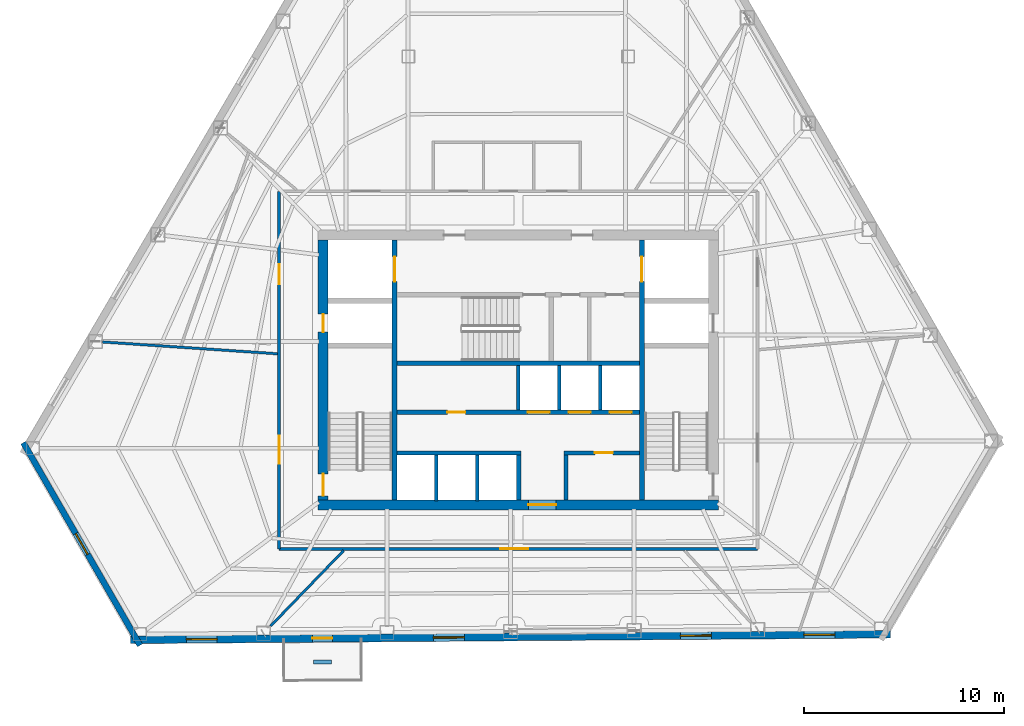
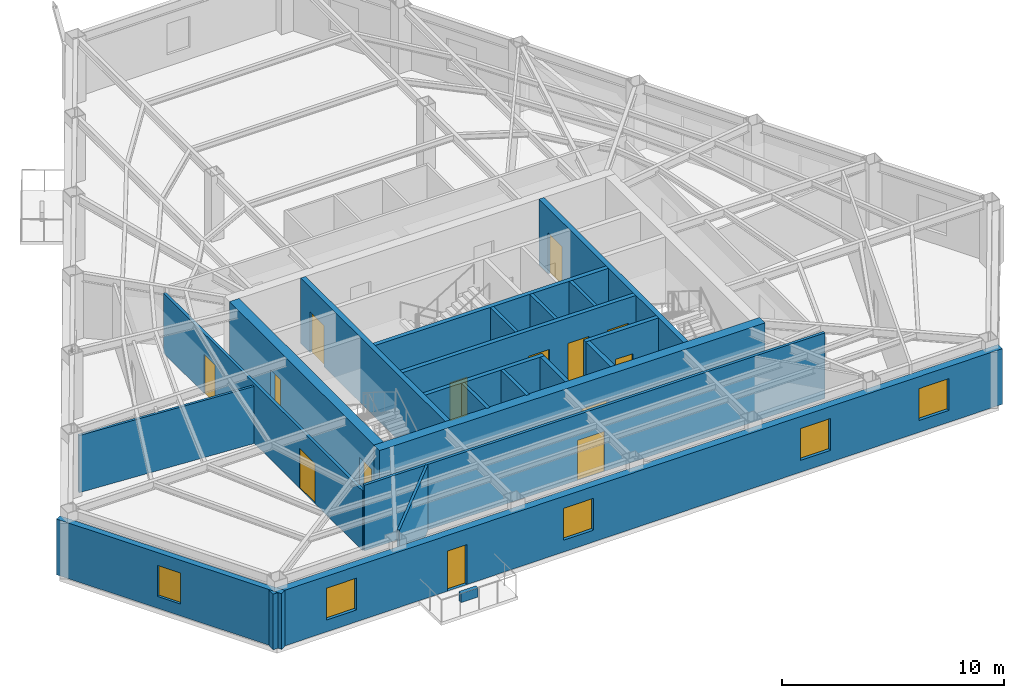
# One storey, part 8 of 12: 22 walls, 14 doors, 5 windows, 19 openings.
"""IFC4 building model written with IfcOpenShell, lengths in metres."""

from ifc_helpers import new_model, si_unit, direction, frame, frame_2d, origin, place, context, subcontext, project, spatial, rectangle, extrude, material, layer, layer_set, type_object, element, fill, save


model = new_model("IFC4")

# Units and contexts
model_context = context("Model", 3, precision=1e-05, world=origin(), true_north=direction((0.0, 1.0)))
body_context = subcontext(model_context, "Body", "Model", "MODEL_VIEW")
ifc_project = project(units=[si_unit("LENGTHUNIT", "METRE"), si_unit("AREAUNIT", "SQUARE_METRE"), si_unit("VOLUMEUNIT", "CUBIC_METRE"), si_unit("PLANEANGLEUNIT", "RADIAN"), si_unit("MASSUNIT", "GRAM", prefix="KILO")], contexts=[model_context])

# Site, building, storey
site_placement = place(None, origin())
site = spatial("IfcSite", under=ifc_project, at=site_placement, CompositionType="ELEMENT")
building_placement = place(site_placement, origin())
building = spatial("IfcBuilding", under=site, at=building_placement, Name="Kavelnor Concourse Tower", CompositionType="ELEMENT")
storey_placement = place(building_placement, frame((0.0, 0.0, 143.25)))
storey = spatial("IfcBuildingStorey", under=building, at=storey_placement, Name="L36", CompositionType="ELEMENT", Elevation=143.25)

# Wall, opening, door
ifc_material_1 = material(Name="Concrete C60/75", Category="concrete")
ifc_layer_1 = layer(ifc_material_1, 0.5, Name="Concrete C60/75")
ifc_layer_set_1 = layer_set([ifc_layer_1], Name="Concrete C60/75")
wall_type_1 = type_object("IfcWallType", Name="WL-CORE-Z2-500", PredefinedType="SOLIDWALL", material=ifc_layer_set_1)
wall_1_placement = place(storey_placement, frame((27.97998046875, 9.35009765625, 0.0), z_axis=(0.0, 0.0, 1.0), x_axis=(1.0, 0.0, 0.0)))
wall_1 = element("IfcWall", 1, at=wall_1_placement, inside=storey, type_object=wall_type_1, Name="L36 Central Core South Shear Wall", PredefinedType="SOLIDWALL", context=body_context, shape_type="SweptSolid", body=[
    extrude(rectangle(XDim=20.0400390625, YDim=0.5, at=frame_2d((10.02001953125, 0.0))), origin(), (0.0, 0.0, 1.0), 3.60009765625),
])
opening_1_placement = place(wall_1_placement, frame((10.52001953125, 0.0, 0.0)))
opening_1 = element("IfcOpeningElement", 2, at=opening_1_placement, cuts=wall_1, Name="Opening SD-140", PredefinedType="OPENING", context=body_context, shape_type="SweptSolid", body=[
    extrude(rectangle(XDim=1.39990234375, YDim=2.199951171875, at=frame_2d((0.699951171875, 1.10009765625))), frame((0.0, 0.260009765625, 0.0), z_axis=(0.0, -1.0, 0.0), x_axis=(1.0, 0.0, 0.0)), (0.0, 0.0, 1.0), 0.52001953125),
])
ifc_material_2 = material(Name="Solid-core hardwood timber", Category="wood")
door_type_1 = type_object("IfcDoorType", Name="DR-SUITE-ENTRY-1400", OperationType="NOTDEFINED", PredefinedType="DOOR", material=ifc_material_2)
door_1_placement = place(opening_1_placement, origin())
door_1 = element("IfcDoor", 3, at=door_1_placement, inside=storey, type_object=door_type_1, Name="L36 Passenger Lift Lobby Entry Door", OperationType="SINGLE_SWING_LEFT", OverallHeight=2.199951171875, OverallWidth=1.39990234375, PredefinedType="DOOR", context=body_context, shape_type="SweptSolid", body=[
    extrude(rectangle(XDim=1.39990234375, YDim=2.199951171875, at=frame_2d((0.699951171875, 1.10009765625))), frame((0.0, 0.02490234375, 0.0), z_axis=(0.0, -1.0, 0.0), x_axis=(1.0, 0.0, 0.0)), (0.0, 0.0, 1.0), 0.050048828125),
])
fill(opening_1, door_1)

# Wall, openings, doors
wall_2_placement = place(storey_placement, frame((28.22998046875, 9.60009765625, 0.0), z_axis=(0.0, 0.0, 1.0), x_axis=(0.0, 1.0, 0.0)))
wall_2 = element("IfcWall", 4, at=wall_2_placement, inside=storey, type_object=wall_type_1, Name="L36 Central Core West Shear Wall", PredefinedType="SOLIDWALL", context=body_context, shape_type="SweptSolid", body=[
    extrude(rectangle(XDim=13.0, YDim=0.5, at=frame_2d((6.5, 0.0))), origin(), (0.0, 0.0, 1.0), 3.60009765625),
])
opening_2_placement = place(wall_2_placement, frame((0.199951171875, 0.0, 0.0)))
opening_2 = element("IfcOpeningElement", 5, at=opening_2_placement, cuts=wall_2, Name="Opening FD-110", PredefinedType="OPENING", context=body_context, shape_type="SweptSolid", body=[
    extrude(rectangle(XDim=1.10009765625, YDim=2.14990234375, at=frame_2d((0.550048828125, 1.074951171875))), frame((0.0, 0.260009765625, 0.0), z_axis=(0.0, -1.0, 0.0), x_axis=(1.0, 0.0, 0.0)), (0.0, 0.0, 1.0), 0.52001953125),
])
opening_3_placement = place(wall_2_placement, frame((8.39990234375, 0.0, 0.0)))
opening_3 = element("IfcOpeningElement", 6, at=opening_3_placement, cuts=wall_2, Name="Opening FD-090", PredefinedType="OPENING", context=body_context, shape_type="SweptSolid", body=[
    extrude(rectangle(XDim=0.89990234375, YDim=2.10009765625, at=frame_2d((0.449951171875, 1.050048828125))), frame((0.0, 0.260009765625, 0.0), z_axis=(0.0, -1.0, 0.0), x_axis=(1.0, 0.0, 0.0)), (0.0, 0.0, 1.0), 0.52001953125),
])
ifc_material_3 = material(Name="Steel Grade 350", Category="steel")
door_type_2 = type_object("IfcDoorType", Name="DR-RISER-FIRE-900", OperationType="NOTDEFINED", PredefinedType="DOOR", material=ifc_material_3)
door_2_placement = place(opening_3_placement, origin())
door_2 = element("IfcDoor", 7, at=door_2_placement, inside=storey, type_object=door_type_2, Name="L36 West Riser Access Door", OperationType="SINGLE_SWING_RIGHT", OverallHeight=2.10009765625, OverallWidth=0.89990234375, PredefinedType="DOOR", context=body_context, shape_type="SweptSolid", body=[
    extrude(rectangle(XDim=0.89990234375, YDim=2.10009765625, at=frame_2d((0.449951171875, 1.050048828125))), frame((0.0, 0.02490234375, 0.0), z_axis=(0.0, -1.0, 0.0), x_axis=(1.0, 0.0, 0.0)), (0.0, 0.0, 1.0), 0.050048828125),
])
fill(opening_3, door_2)
door_type_3 = type_object("IfcDoorType", Name="DR-STAIR-FIRE-1100", OperationType="NOTDEFINED", PredefinedType="DOOR", material=ifc_material_3)
door_3_placement = place(opening_2_placement, origin())
door_3 = element("IfcDoor", 8, at=door_3_placement, inside=storey, type_object=door_type_3, Name="L36 Stair ST1 Fire Door", OperationType="SINGLE_SWING_LEFT", OverallHeight=2.14990234375, OverallWidth=1.10009765625, PredefinedType="DOOR", context=body_context, shape_type="SweptSolid", body=[
    extrude(rectangle(XDim=1.10009765625, YDim=2.14990234375, at=frame_2d((0.550048828125, 1.074951171875))), frame((0.0, 0.02490234375, 0.0), z_axis=(0.0, -1.0, 0.0), x_axis=(1.0, 0.0, 0.0)), (0.0, 0.0, 1.0), 0.050048828125),
])
fill(opening_2, door_3)

# Wall, opening, window
ifc_material_4 = material(Name="Buff ironspot clay face brick masonry", Category="masonry")
ifc_layer_2 = layer(ifc_material_4, 0.300048828125, Name="Buff ironspot clay face brick masonry")
ifc_layer_set_2 = layer_set([ifc_layer_2], Name="Buff ironspot clay face brick masonry")
wall_type_2 = type_object("IfcWallType", Name="WL-EXT-BUFF-BRICK-FOLD-300", PredefinedType="STANDARD", material=ifc_layer_set_2)
wall_3_placement = place(storey_placement, frame((19.067626953125, 2.322021484375, 0.0), z_axis=(0.0, 0.0, 1.0), x_axis=(-0.499082618799, 0.866554406609, 0.0)))
wall_3 = element("IfcWall", 9, at=wall_3_placement, inside=storey, type_object=wall_type_2, Name="L36 Exterior Brick Facade Wall E2", PredefinedType="STANDARD", context=body_context, shape_type="SweptSolid", body=[
    extrude(rectangle(XDim=11.70703125, YDim=0.300048828125, at=frame_2d((5.853515625, 0.0))), origin(), (0.0, 0.0, 1.0), 3.05908203125),
])
opening_4_placement = place(wall_3_placement, frame((5.25341796875, 0.0, 0.64990234375)))
opening_4 = element("IfcOpeningElement", 10, at=opening_4_placement, cuts=wall_3, Name="Opening W-05", PredefinedType="OPENING", context=body_context, shape_type="SweptSolid", body=[
    extrude(rectangle(XDim=1.199951171875, YDim=1.699951171875, at=frame_2d((0.60009765625, 0.85009765625))), frame((0.0, 0.16015625, 0.0), z_axis=(0.0, -1.0, 0.0), x_axis=(1.0, 0.0, 0.0)), (0.0, 0.0, 1.0), 0.320068359375),
])
ifc_material_5 = material(Name="Double low-E argon insulated glazing", Category="glass")
window_type_1 = type_object("IfcWindowType", Name="WIN-FOLD-1200", PartitioningType="SINGLE_PANEL", PredefinedType="WINDOW", material=ifc_material_5)
window_1_placement = place(opening_4_placement, origin())
window_1 = element("IfcWindow", 11, at=window_1_placement, inside=storey, type_object=window_type_1, Name="L36 Chamfer-Fold Facet Window C1", OverallHeight=1.699951171875, OverallWidth=1.199951171875, PartitioningType="SINGLE_PANEL", PredefinedType="WINDOW", context=body_context, shape_type="SweptSolid", body=[
    extrude(rectangle(XDim=1.199951171875, YDim=1.699951171875, at=frame_2d((0.60009765625, 0.85009765625))), frame((0.0, 0.030029296875, 0.0), z_axis=(0.0, -1.0, 0.0), x_axis=(1.0, 0.0, 0.0)), (0.0, 0.0, 1.0), 0.06005859375),
])
fill(opening_4, window_1)

# Wall, openings, door, windows
ifc_material_6 = material(Name="Red-ochre clay face brick masonry", Category="masonry")
ifc_layer_3 = layer(ifc_material_6, 0.3798828125, Name="Red-ochre clay face brick masonry")
ifc_layer_set_3 = layer_set([ifc_layer_3], Name="Red-ochre clay face brick masonry")
wall_type_3 = type_object("IfcWallType", Name="WL-EXT-RED-BRICK-PIER-380", PredefinedType="STANDARD", material=ifc_layer_set_3)
wall_4_placement = place(storey_placement, frame((56.640869140625, 2.879150390625, 0.0), z_axis=(0.0, 0.0, 1.0), x_axis=(-0.99997292902, -0.007358072284, 0.0)))
wall_4 = element("IfcWall", 12, at=wall_4_placement, inside=storey, type_object=wall_type_3, Name="L36 Exterior Brick Facade Wall E3", PredefinedType="STANDARD", context=body_context, shape_type="SweptSolid", body=[
    extrude(rectangle(XDim=38.057373046875, YDim=0.3798828125, at=frame_2d((19.02880859375, 0.0))), origin(), (0.0, 0.0, 1.0), 3.05908203125),
])
opening_5_placement = place(wall_4_placement, frame((27.943115234375, 0.0, 0.0)))
opening_5 = element("IfcOpeningElement", 13, at=opening_5_placement, cuts=wall_4, Name="Opening BD-100", PredefinedType="OPENING", context=body_context, shape_type="SweptSolid", body=[
    extrude(rectangle(XDim=1.0, YDim=2.199951171875, at=frame_2d((0.5, 1.10009765625))), frame((0.0, 0.199951171875, 0.0), z_axis=(0.0, -1.0, 0.0), x_axis=(1.0, 0.0, 0.0)), (0.0, 0.0, 1.0), 0.39990234375),
])
opening_6_placement = place(wall_4_placement, frame((33.710693359375, 0.0, 0.64990234375)))
opening_6 = element("IfcOpeningElement", 14, at=opening_6_placement, cuts=wall_4, Name="Opening W-02", PredefinedType="OPENING", context=body_context, shape_type="SweptSolid", body=[
    extrude(rectangle(XDim=1.550048828125, YDim=1.75, at=frame_2d((0.77490234375, 0.875))), frame((0.0, 0.199951171875, 0.0), z_axis=(0.0, -1.0, 0.0), x_axis=(1.0, 0.0, 0.0)), (0.0, 0.0, 1.0), 0.39990234375),
])
opening_7_placement = place(wall_4_placement, frame((21.34228515625, 0.0, 0.64990234375)))
opening_7 = element("IfcOpeningElement", 15, at=opening_7_placement, cuts=wall_4, Name="Opening W-02", PredefinedType="OPENING", context=body_context, shape_type="SweptSolid", body=[
    extrude(rectangle(XDim=1.550048828125, YDim=1.75, at=frame_2d((0.77490234375, 0.875))), frame((0.0, 0.199951171875, 0.0), z_axis=(0.0, -1.0, 0.0), x_axis=(1.0, 0.0, 0.0)), (0.0, 0.0, 1.0), 0.39990234375),
])
opening_8_placement = place(wall_4_placement, frame((8.97412109375, 0.0, 0.64990234375)))
opening_8 = element("IfcOpeningElement", 16, at=opening_8_placement, cuts=wall_4, Name="Opening W-02", PredefinedType="OPENING", context=body_context, shape_type="SweptSolid", body=[
    extrude(rectangle(XDim=1.550048828125, YDim=1.75, at=frame_2d((0.77490234375, 0.875))), frame((0.0, 0.199951171875, 0.0), z_axis=(0.0, -1.0, 0.0), x_axis=(1.0, 0.0, 0.0)), (0.0, 0.0, 1.0), 0.39990234375),
])
opening_9_placement = place(wall_4_placement, frame((2.789794921875, 0.0, 0.64990234375)))
opening_9 = element("IfcOpeningElement", 17, at=opening_9_placement, cuts=wall_4, Name="Opening W-02", PredefinedType="OPENING", context=body_context, shape_type="SweptSolid", body=[
    extrude(rectangle(XDim=1.550048828125, YDim=1.75, at=frame_2d((0.77490234375, 0.875))), frame((0.0, 0.199951171875, 0.0), z_axis=(0.0, -1.0, 0.0), x_axis=(1.0, 0.0, 0.0)), (0.0, 0.0, 1.0), 0.39990234375),
])
ifc_material_7 = material(Name="Anodised aluminium 6063-T6", Category="aluminium")
door_type_4 = type_object("IfcDoorType", Name="DR-BALCONY-EXT-1000", OperationType="NOTDEFINED", PredefinedType="DOOR", material=ifc_material_7)
door_4_placement = place(opening_5_placement, origin())
door_4 = element("IfcDoor", 18, at=door_4_placement, inside=storey, type_object=door_type_4, Name="L36 Tree Balcony 2 Glazed Door", OperationType="SINGLE_SWING_RIGHT", OverallHeight=2.199951171875, OverallWidth=1.0, PredefinedType="DOOR", context=body_context, shape_type="SweptSolid", body=[
    extrude(rectangle(XDim=1.0, YDim=2.199951171875, at=frame_2d((0.5, 1.10009765625))), frame((0.0, 0.02490234375, 0.0), z_axis=(0.0, -1.0, 0.0), x_axis=(1.0, 0.0, 0.0)), (0.0, 0.0, 1.0), 0.050048828125),
])
fill(opening_5, door_4)
window_type_2 = type_object("IfcWindowType", Name="WIN-PIER-Z2-1650", PartitioningType="SINGLE_PANEL", PredefinedType="WINDOW", material=ifc_material_5)
window_2_placement = place(opening_6_placement, origin())
window_2 = element("IfcWindow", 19, at=window_2_placement, inside=storey, type_object=window_type_2, Name="L36 Deep-Set Brick Pier Window F1-B0", OverallHeight=1.75, OverallWidth=1.550048828125, PartitioningType="SINGLE_PANEL", PredefinedType="WINDOW", context=body_context, shape_type="SweptSolid", body=[
    extrude(rectangle(XDim=1.550048828125, YDim=1.75, at=frame_2d((0.77490234375, 0.875))), frame((0.0, 0.030029296875, 0.0), z_axis=(0.0, -1.0, 0.0), x_axis=(1.0, 0.0, 0.0)), (0.0, 0.0, 1.0), 0.06005859375),
])
fill(opening_6, window_2)
window_3_placement = place(opening_7_placement, origin())
window_3 = element("IfcWindow", 20, at=window_3_placement, inside=storey, type_object=window_type_2, Name="L36 Deep-Set Brick Pier Window F1-B2", OverallHeight=1.75, OverallWidth=1.550048828125, PartitioningType="SINGLE_PANEL", PredefinedType="WINDOW", context=body_context, shape_type="SweptSolid", body=[
    extrude(rectangle(XDim=1.550048828125, YDim=1.75, at=frame_2d((0.77490234375, 0.875))), frame((0.0, 0.030029296875, 0.0), z_axis=(0.0, -1.0, 0.0), x_axis=(1.0, 0.0, 0.0)), (0.0, 0.0, 1.0), 0.06005859375),
])
fill(opening_7, window_3)
window_4_placement = place(opening_8_placement, origin())
window_4 = element("IfcWindow", 21, at=window_4_placement, inside=storey, type_object=window_type_2, Name="L36 Deep-Set Brick Pier Window F1-B4", OverallHeight=1.75, OverallWidth=1.550048828125, PartitioningType="SINGLE_PANEL", PredefinedType="WINDOW", context=body_context, shape_type="SweptSolid", body=[
    extrude(rectangle(XDim=1.550048828125, YDim=1.75, at=frame_2d((0.77490234375, 0.875))), frame((0.0, 0.030029296875, 0.0), z_axis=(0.0, -1.0, 0.0), x_axis=(1.0, 0.0, 0.0)), (0.0, 0.0, 1.0), 0.06005859375),
])
fill(opening_8, window_4)
window_5_placement = place(opening_9_placement, origin())
window_5 = element("IfcWindow", 22, at=window_5_placement, inside=storey, type_object=window_type_2, Name="L36 Deep-Set Brick Pier Window F1-B5", OverallHeight=1.75, OverallWidth=1.550048828125, PartitioningType="SINGLE_PANEL", PredefinedType="WINDOW", context=body_context, shape_type="SweptSolid", body=[
    extrude(rectangle(XDim=1.550048828125, YDim=1.75, at=frame_2d((0.77490234375, 0.875))), frame((0.0, 0.030029296875, 0.0), z_axis=(0.0, -1.0, 0.0), x_axis=(1.0, 0.0, 0.0)), (0.0, 0.0, 1.0), 0.06005859375),
])
fill(opening_9, window_5)

# Wall, openings, doors
ifc_material_8 = material(Name="Gypsum plasterboard on light-gauge steel studs", Category="steel")
ifc_layer_4 = layer(ifc_material_8, 0.14501953125, Name="Gypsum plasterboard on light-gauge steel studs")
ifc_layer_set_4 = layer_set([ifc_layer_4], Name="Gypsum plasterboard on light-gauge steel studs")
wall_type_4 = type_object("IfcWallType", Name="WL-INT-CORR-145", PredefinedType="PARTITIONING", material=ifc_layer_set_4)
wall_5_placement = place(storey_placement, frame((26.030029296875, 25.050048828125, 0.0), z_axis=(0.0, 0.0, 1.0), x_axis=(0.0, -1.0, 0.0)))
wall_5 = element("IfcWall", 23, at=wall_5_placement, inside=storey, type_object=wall_type_4, Name="L36 Corridor Wall WL-L36-CR-03", PredefinedType="PARTITIONING", context=body_context, shape_type="SweptSolid", body=[
    extrude(rectangle(XDim=17.900146484375, YDim=0.14501953125, at=frame_2d((8.9501953125, 0.0))), origin(), (0.0, 0.0, 1.0), 3.2880859375),
])
opening_10_placement = place(wall_5_placement, frame((3.662841796875, 0.0, 0.0)))
opening_10 = element("IfcOpeningElement", 24, at=opening_10_placement, cuts=wall_5, Name="Opening OD-098", PredefinedType="OPENING", context=body_context, shape_type="SweptSolid", body=[
    extrude(rectangle(XDim=0.97998046875, YDim=2.14990234375, at=frame_2d((0.489990234375, 1.074951171875))), frame((0.0, 0.08251953125, 0.0), z_axis=(0.0, -1.0, 0.0), x_axis=(1.0, 0.0, 0.0)), (0.0, 0.0, 1.0), 0.1650390625),
])
opening_11_placement = place(wall_5_placement, frame((12.231689453125, 0.0, 0.0)))
opening_11 = element("IfcOpeningElement", 25, at=opening_11_placement, cuts=wall_5, Name="Opening SD-140", PredefinedType="OPENING", context=body_context, shape_type="SweptSolid", body=[
    extrude(rectangle(XDim=1.39990234375, YDim=2.199951171875, at=frame_2d((0.699951171875, 1.10009765625))), frame((0.0, 0.08251953125, 0.0), z_axis=(0.0, -1.0, 0.0), x_axis=(1.0, 0.0, 0.0)), (0.0, 0.0, 1.0), 0.1650390625),
])
door_type_5 = type_object("IfcDoorType", Name="DR-OFFICE-980", OperationType="NOTDEFINED", PredefinedType="DOOR", material=ifc_material_2)
door_5_placement = place(opening_10_placement, origin())
door_5 = element("IfcDoor", 26, at=door_5_placement, inside=storey, type_object=door_type_5, Name="L36 Executive Dining Room 03 Door", OperationType="SINGLE_SWING_RIGHT", OverallHeight=2.14990234375, OverallWidth=0.97998046875, PredefinedType="DOOR", context=body_context, shape_type="SweptSolid", body=[
    extrude(rectangle(XDim=0.97998046875, YDim=2.14990234375, at=frame_2d((0.489990234375, 1.074951171875))), frame((0.0, 0.02490234375, 0.0), z_axis=(0.0, -1.0, 0.0), x_axis=(1.0, 0.0, 0.0)), (0.0, 0.0, 1.0), 0.050048828125),
])
fill(opening_10, door_5)
door_6_placement = place(opening_11_placement, origin())
door_6 = element("IfcDoor", 27, at=door_6_placement, inside=storey, type_object=door_type_1, Name="L36 Building Staff Breakroom 05 Door", OperationType="SINGLE_SWING_RIGHT", OverallHeight=2.199951171875, OverallWidth=1.39990234375, PredefinedType="DOOR", context=body_context, shape_type="SweptSolid", body=[
    extrude(rectangle(XDim=1.39990234375, YDim=2.199951171875, at=frame_2d((0.699951171875, 1.10009765625))), frame((0.0, 0.02490234375, 0.0), z_axis=(0.0, -1.0, 0.0), x_axis=(1.0, 0.0, 0.0)), (0.0, 0.0, 1.0), 0.050048828125),
])
fill(opening_11, door_6)

# Wall, opening, door
wall_6_placement = place(storey_placement, frame((26.030029296875, 7.14990234375, 0.0), z_axis=(0.0, 0.0, 1.0), x_axis=(1.0, 0.0, 0.0)))
wall_6 = element("IfcWall", 28, at=wall_6_placement, inside=storey, type_object=wall_type_4, Name="L36 Corridor Wall WL-L36-CR-04", PredefinedType="PARTITIONING", context=body_context, shape_type="SweptSolid", body=[
    extrude(rectangle(XDim=23.93994140625, YDim=0.14501953125, at=frame_2d((11.969970703125, 0.0))), origin(), (0.0, 0.0, 1.0), 3.60009765625),
])
opening_12_placement = place(wall_6_placement, frame((11.065185546875, 0.0, 0.0)))
opening_12 = element("IfcOpeningElement", 29, at=opening_12_placement, cuts=wall_6, Name="Opening SD-140", PredefinedType="OPENING", context=body_context, shape_type="SweptSolid", body=[
    extrude(rectangle(XDim=1.39990234375, YDim=2.199951171875, at=frame_2d((0.699951171875, 1.10009765625))), frame((0.0, 0.08251953125, 0.0), z_axis=(0.0, -1.0, 0.0), x_axis=(1.0, 0.0, 0.0)), (0.0, 0.0, 1.0), 0.1650390625),
])
door_7_placement = place(opening_12_placement, origin())
door_7 = element("IfcDoor", 30, at=door_7_placement, inside=storey, type_object=door_type_1, Name="L36 Building Staff Breakroom 06 Door", OperationType="SINGLE_SWING_LEFT", OverallHeight=2.199951171875, OverallWidth=1.39990234375, PredefinedType="DOOR", context=body_context, shape_type="SweptSolid", body=[
    extrude(rectangle(XDim=1.39990234375, YDim=2.199951171875, at=frame_2d((0.699951171875, 1.10009765625))), frame((0.0, 0.02490234375, 0.0), z_axis=(0.0, -1.0, 0.0), x_axis=(1.0, 0.0, 0.0)), (0.0, 0.0, 1.0), 0.050048828125),
])
fill(opening_12, door_7)

# Walls
ifc_layer_5 = layer(ifc_material_8, 0.1650390625, Name="Gypsum plasterboard on light-gauge steel studs")
ifc_layer_set_5 = layer_set([ifc_layer_5], Name="Gypsum plasterboard on light-gauge steel studs")
wall_type_5 = type_object("IfcWallType", Name="WL-INT-FIRE-165", PredefinedType="PARTITIONING", material=ifc_layer_set_5)
for number, where, z_axis, x_axis, name in (
    (31, (33.89990234375, 9.550048828125, 0.0), (0.0, 0.0, 1.0), (0.0, 1.0, 0.0), "L36 Lift Shaft Divider LP7"),
    (32, (35.949951171875, 9.550048828125, 0.0), (0.0, 0.0, 1.0), (0.0, 1.0, 0.0), "L36 Lift Shaft Divider LP8"),
):
    element("IfcWall", number, at=place(storey_placement, frame(where, z_axis=z_axis, x_axis=x_axis)), inside=storey, type_object=wall_type_5, Name=name, PredefinedType="PARTITIONING", context=body_context, shape_type="SweptSolid", body=[
        extrude(rectangle(XDim=2.2900390625, YDim=0.1650390625, at=frame_2d((1.14501953125, 0.0))), origin(), (0.0, 0.0, 1.0), 3.60009765625),
    ])
for number, where, z_axis, x_axis, name in (
    (33, (38.0, 14.10009765625, 0.0), (0.0, 0.0, 1.0), (0.0, 1.0, 0.0), "L36 Reclaimed Core Zone Partition"),
    (34, (40.050048828125, 14.10009765625, 0.0), (0.0, 0.0, 1.0), (0.0, 1.0, 0.0), "L36 Lift Shaft Divider LP4"),
    (35, (42.10009765625, 14.10009765625, 0.0), (0.0, 0.0, 1.0), (0.0, 1.0, 0.0), "L36 Lift Shaft Divider LP5"),
):
    element("IfcWall", number, at=place(storey_placement, frame(where, z_axis=z_axis, x_axis=x_axis)), inside=storey, type_object=wall_type_5, Name=name, PredefinedType="PARTITIONING", context=body_context, shape_type="SweptSolid", body=[
        extrude(rectangle(XDim=2.239990234375, YDim=0.1650390625, at=frame_2d((1.1201171875, 0.0))), origin(), (0.0, 0.0, 1.0), 3.60009765625),
    ])
ifc_layer_6 = layer(ifc_material_8, 0.125, Name="Gypsum plasterboard on light-gauge steel studs")
ifc_layer_set_6 = layer_set([ifc_layer_6], Name="Gypsum plasterboard on light-gauge steel studs")
wall_type_6 = type_object("IfcWallType", Name="WL-INT-SUITE-125", PredefinedType="PARTITIONING", material=ifc_layer_set_6)
wall_7_placement = place(storey_placement, frame((25.949462890625, 16.91552734375, 0.0), z_axis=(0.0, 0.0, 1.0), x_axis=(-0.997717908237, 0.067520186492, 0.0)))
element("IfcWall", 36, at=wall_7_placement, inside=storey, type_object=wall_type_6, Name="L36 Radial Suite Partition 04", PredefinedType="PARTITIONING", context=body_context, shape_type="SweptSolid", body=[
    extrude(rectangle(XDim=8.77197265625, YDim=0.125, at=frame_2d((4.385986328125, 0.0))), origin(), (0.0, 0.0, 1.0), 3.14111328125),
])
wall_8_placement = place(storey_placement, frame((29.2626953125, 7.069580078125, 0.0), z_axis=(0.0, 0.0, 1.0), x_axis=(-0.695300134942, -0.718719501857, 0.0)))
element("IfcWall", 37, at=wall_8_placement, inside=storey, type_object=wall_type_6, Name="L36 Radial Suite Partition 05", PredefinedType="PARTITIONING", context=body_context, shape_type="SweptSolid", body=[
    extrude(rectangle(XDim=5.264404296875, YDim=0.125, at=frame_2d((2.63232421875, 0.0))), origin(), (0.0, 0.0, 1.0), 3.60009765625),
])
ifc_material_9 = material(Name="Architectural precast planter concrete C40/50", Category="concrete")
ifc_layer_7 = layer(ifc_material_9, 0.18994140625, Name="Architectural precast planter concrete C40/50")
ifc_layer_set_7 = layer_set([ifc_layer_7], Name="Architectural precast planter concrete C40/50")
wall_type_7 = type_object("IfcWallType", Name="WL-PLANTER-KERB-190", PredefinedType="USERDEFINED", material=ifc_layer_set_7)
wall_9_placement = place(storey_placement, frame((27.757080078125, 1.4814453125, 0.0), z_axis=(0.0, 0.0, 1.0), x_axis=(0.999973187717, 0.007322830504, 0.0)))
element("IfcWall", 38, at=wall_9_placement, inside=storey, type_object=wall_type_7, Name="L36 Tree Balcony 2 Tree Planter Kerb", ObjectType="PLANTER", PredefinedType="USERDEFINED", context=body_context, shape_type="SweptSolid", body=[
    extrude(rectangle(XDim=0.900146484375, YDim=0.18994140625, at=frame_2d((0.4501953125, 0.0))), origin(), (0.0, 0.0, 1.0), 0.5),
])
ifc_material_10 = material(Name="Concrete C50/60", Category="concrete")
ifc_layer_8 = layer(ifc_material_10, 0.219970703125, Name="Concrete C50/60")
ifc_layer_set_8 = layer_set([ifc_layer_8], Name="Concrete C50/60")
wall_type_8 = type_object("IfcWallType", Name="WL-SHAFT-220", PredefinedType="SOLIDWALL", material=ifc_layer_set_8)
wall_10_placement = place(storey_placement, frame((31.93994140625, 16.449951171875, 0.0), z_axis=(0.0, 0.0, 1.0), x_axis=(1.0, 0.0, 0.0)))
element("IfcWall", 39, at=wall_10_placement, inside=storey, type_object=wall_type_8, Name="L36 Stair ST3 South Core Wall", PredefinedType="SOLIDWALL", context=body_context, shape_type="SweptSolid", body=[
    extrude(rectangle(XDim=12.1201171875, YDim=0.219970703125, at=frame_2d((6.06005859375, 0.0))), origin(), (0.0, 0.0, 1.0), 3.60009765625),
])

# Wall, openings, doors
wall_11_placement = place(storey_placement, frame((31.93994140625, 13.989990234375, 0.0), z_axis=(0.0, 0.0, 1.0), x_axis=(1.0, 0.0, 0.0)))
wall_11 = element("IfcWall", 40, at=wall_11_placement, inside=storey, type_object=wall_type_8, Name="L36 North Lift Row Shaft Wall", PredefinedType="SOLIDWALL", context=body_context, shape_type="SweptSolid", body=[
    extrude(rectangle(XDim=12.1201171875, YDim=0.219970703125, at=frame_2d((6.06005859375, 0.0))), origin(), (0.0, 0.0, 1.0), 3.60009765625),
])
opening_13_placement = place(wall_11_placement, frame((2.510009765625, 0.0, 0.0)))
opening_13 = element("IfcOpeningElement", 41, at=opening_13_placement, cuts=wall_11, Name="Opening FD-090", PredefinedType="OPENING", context=body_context, shape_type="SweptSolid", body=[
    extrude(rectangle(XDim=0.89990234375, YDim=2.10009765625, at=frame_2d((0.449951171875, 1.050048828125))), frame((0.0, 0.1201171875, 0.0), z_axis=(0.0, -1.0, 0.0), x_axis=(1.0, 0.0, 0.0)), (0.0, 0.0, 1.0), 0.239990234375),
])
opening_14_placement = place(wall_11_placement, frame((6.534912109375, 0.0, 0.0)))
opening_14 = element("IfcOpeningElement", 42, at=opening_14_placement, cuts=wall_11, Name="Opening LD-110", PredefinedType="OPENING", context=body_context, shape_type="SweptSolid", body=[
    extrude(rectangle(XDim=1.10009765625, YDim=2.199951171875, at=frame_2d((0.550048828125, 1.10009765625))), frame((0.0, 0.1201171875, 0.0), z_axis=(0.0, -1.0, 0.0), x_axis=(1.0, 0.0, 0.0)), (0.0, 0.0, 1.0), 0.239990234375),
])
opening_15_placement = place(wall_11_placement, frame((8.5849609375, 0.0, 0.0)))
opening_15 = element("IfcOpeningElement", 43, at=opening_15_placement, cuts=wall_11, Name="Opening LD-110", PredefinedType="OPENING", context=body_context, shape_type="SweptSolid", body=[
    extrude(rectangle(XDim=1.10009765625, YDim=2.199951171875, at=frame_2d((0.550048828125, 1.10009765625))), frame((0.0, 0.1201171875, 0.0), z_axis=(0.0, -1.0, 0.0), x_axis=(1.0, 0.0, 0.0)), (0.0, 0.0, 1.0), 0.239990234375),
])
opening_16_placement = place(wall_11_placement, frame((10.635009765625, 0.0, 0.0)))
opening_16 = element("IfcOpeningElement", 44, at=opening_16_placement, cuts=wall_11, Name="Opening LD-110", PredefinedType="OPENING", context=body_context, shape_type="SweptSolid", body=[
    extrude(rectangle(XDim=1.10009765625, YDim=2.199951171875, at=frame_2d((0.550048828125, 1.10009765625))), frame((0.0, 0.1201171875, 0.0), z_axis=(0.0, -1.0, 0.0), x_axis=(1.0, 0.0, 0.0)), (0.0, 0.0, 1.0), 0.239990234375),
])
door_type_6 = type_object("IfcDoorType", Name="DR-LIFT-SLIDING-1100", OperationType="NOTDEFINED", PredefinedType="DOOR", material=ifc_material_3)
door_8_placement = place(opening_14_placement, origin())
door_8 = element("IfcDoor", 45, at=door_8_placement, inside=storey, type_object=door_type_6, Name="L36 Lift LP4 Landing Door", OperationType="DOUBLE_DOOR_SLIDING", OverallHeight=2.199951171875, OverallWidth=1.10009765625, PredefinedType="DOOR", context=body_context, shape_type="SweptSolid", body=[
    extrude(rectangle(XDim=1.10009765625, YDim=2.199951171875, at=frame_2d((0.550048828125, 1.10009765625))), frame((0.0, 0.02490234375, 0.0), z_axis=(0.0, -1.0, 0.0), x_axis=(1.0, 0.0, 0.0)), (0.0, 0.0, 1.0), 0.050048828125),
])
fill(opening_14, door_8)
door_9_placement = place(opening_15_placement, origin())
door_9 = element("IfcDoor", 46, at=door_9_placement, inside=storey, type_object=door_type_6, Name="L36 Lift LP5 Landing Door", OperationType="DOUBLE_DOOR_SLIDING", OverallHeight=2.199951171875, OverallWidth=1.10009765625, PredefinedType="DOOR", context=body_context, shape_type="SweptSolid", body=[
    extrude(rectangle(XDim=1.10009765625, YDim=2.199951171875, at=frame_2d((0.550048828125, 1.10009765625))), frame((0.0, 0.02490234375, 0.0), z_axis=(0.0, -1.0, 0.0), x_axis=(1.0, 0.0, 0.0)), (0.0, 0.0, 1.0), 0.050048828125),
])
fill(opening_15, door_9)
door_10_placement = place(opening_16_placement, origin())
door_10 = element("IfcDoor", 47, at=door_10_placement, inside=storey, type_object=door_type_6, Name="L36 Lift LP6 Landing Door", OperationType="DOUBLE_DOOR_SLIDING", OverallHeight=2.199951171875, OverallWidth=1.10009765625, PredefinedType="DOOR", context=body_context, shape_type="SweptSolid", body=[
    extrude(rectangle(XDim=1.10009765625, YDim=2.199951171875, at=frame_2d((0.550048828125, 1.10009765625))), frame((0.0, 0.02490234375, 0.0), z_axis=(0.0, -1.0, 0.0), x_axis=(1.0, 0.0, 0.0)), (0.0, 0.0, 1.0), 0.050048828125),
])
fill(opening_16, door_10)
door_11_placement = place(opening_13_placement, origin())
door_11 = element("IfcDoor", 48, at=door_11_placement, inside=storey, type_object=door_type_2, Name="L36 Core IT Room Door", OperationType="SINGLE_SWING_LEFT", OverallHeight=2.10009765625, OverallWidth=0.89990234375, PredefinedType="DOOR", context=body_context, shape_type="SweptSolid", body=[
    extrude(rectangle(XDim=0.89990234375, YDim=2.10009765625, at=frame_2d((0.449951171875, 1.050048828125))), frame((0.0, 0.02490234375, 0.0), z_axis=(0.0, -1.0, 0.0), x_axis=(1.0, 0.0, 0.0)), (0.0, 0.0, 1.0), 0.050048828125),
])
fill(opening_13, door_11)

# Wall
wall_12_placement = place(storey_placement, frame((31.93994140625, 11.949951171875, 0.0), z_axis=(0.0, 0.0, 1.0), x_axis=(1.0, 0.0, 0.0)))
element("IfcWall", 49, at=wall_12_placement, inside=storey, type_object=wall_type_8, Name="L36 High-Rise Lift Bank North Wall", PredefinedType="SOLIDWALL", context=body_context, shape_type="SweptSolid", body=[
    extrude(rectangle(XDim=6.18994140625, YDim=0.219970703125, at=frame_2d((3.094970703125, 0.0))), origin(), (0.0, 0.0, 1.0), 3.60009765625),
])

# Wall, opening, door
wall_13_placement = place(storey_placement, frame((40.280029296875, 11.949951171875, 0.0), z_axis=(0.0, 0.0, 1.0), x_axis=(1.0, 0.0, 0.0)))
wall_13 = element("IfcWall", 50, at=wall_13_placement, inside=storey, type_object=wall_type_8, Name="L36 Core South Support North Wall", PredefinedType="SOLIDWALL", context=body_context, shape_type="SweptSolid", body=[
    extrude(rectangle(XDim=3.780029296875, YDim=0.219970703125, at=frame_2d((1.89013671875, 0.0))), origin(), (0.0, 0.0, 1.0), 3.60009765625),
])
opening_17_placement = place(wall_13_placement, frame((1.550048828125, 0.0, 0.0)))
opening_17 = element("IfcOpeningElement", 51, at=opening_17_placement, cuts=wall_13, Name="Opening FD-090", PredefinedType="OPENING", context=body_context, shape_type="SweptSolid", body=[
    extrude(rectangle(XDim=0.89990234375, YDim=2.10009765625, at=frame_2d((0.449951171875, 1.050048828125))), frame((0.0, 0.1201171875, 0.0), z_axis=(0.0, -1.0, 0.0), x_axis=(1.0, 0.0, 0.0)), (0.0, 0.0, 1.0), 0.239990234375),
])
door_12_placement = place(opening_17_placement, origin())
door_12 = element("IfcDoor", 52, at=door_12_placement, inside=storey, type_object=door_type_2, Name="L36 BMS Metering Door", OperationType="SINGLE_SWING_RIGHT", OverallHeight=2.10009765625, OverallWidth=0.89990234375, PredefinedType="DOOR", context=body_context, shape_type="SweptSolid", body=[
    extrude(rectangle(XDim=0.89990234375, YDim=2.10009765625, at=frame_2d((0.449951171875, 1.050048828125))), frame((0.0, 0.02490234375, 0.0), z_axis=(0.0, -1.0, 0.0), x_axis=(1.0, 0.0, 0.0)), (0.0, 0.0, 1.0), 0.050048828125),
])
fill(opening_17, door_12)

# Walls
for number, where, z_axis, x_axis, name in (
    (53, (38.02001953125, 9.60009765625, 0.0), (0.0, 0.0, 1.0), (0.0, 1.0, 0.0), "L36 Lift Lobby Throat West Wall"),
    (54, (40.389892578125, 9.60009765625, 0.0), (0.0, 0.0, 1.0), (0.0, 1.0, 0.0), "L36 Lift Lobby Throat East Wall"),
):
    element("IfcWall", number, at=place(storey_placement, frame(where, z_axis=z_axis, x_axis=x_axis)), inside=storey, type_object=wall_type_8, Name=name, PredefinedType="SOLIDWALL", context=body_context, shape_type="SweptSolid", body=[
        extrude(rectangle(XDim=2.239990234375, YDim=0.219970703125, at=frame_2d((1.1201171875, 0.0))), origin(), (0.0, 0.0, 1.0), 3.60009765625),
    ])

# Wall, opening, door
ifc_layer_9 = layer(ifc_material_10, 0.260009765625, Name="Concrete C50/60")
ifc_layer_set_9 = layer_set([ifc_layer_9], Name="Concrete C50/60")
wall_type_9 = type_object("IfcWallType", Name="WL-SHAFT-260", PredefinedType="SHEAR", material=ifc_layer_set_9)
wall_14_placement = place(storey_placement, frame((31.81005859375, 9.60009765625, 0.0), z_axis=(0.0, 0.0, 1.0), x_axis=(0.0, 1.0, 0.0)))
wall_14 = element("IfcWall", 55, at=wall_14_placement, inside=storey, type_object=wall_type_9, Name="L36 Core West Wing Shear Wall", PredefinedType="SHEAR", context=body_context, shape_type="SweptSolid", body=[
    extrude(rectangle(XDim=13.0, YDim=0.260009765625, at=frame_2d((6.5, 0.0))), origin(), (0.0, 0.0, 1.0), 3.60009765625),
])
opening_18_placement = place(wall_14_placement, frame((10.925048828125, 0.0, 0.0)))
opening_18 = element("IfcOpeningElement", 56, at=opening_18_placement, cuts=wall_14, Name="Opening LD-125", PredefinedType="OPENING", context=body_context, shape_type="SweptSolid", body=[
    extrude(rectangle(XDim=1.25, YDim=2.25, at=frame_2d((0.625, 1.125))), frame((0.0, 0.14013671875, 0.0), z_axis=(0.0, -1.0, 0.0), x_axis=(1.0, 0.0, 0.0)), (0.0, 0.0, 1.0), 0.280029296875),
])
door_type_7 = type_object("IfcDoorType", Name="DR-LIFT-SLIDING-1250", OperationType="NOTDEFINED", PredefinedType="DOOR", material=ifc_material_3)
door_13_placement = place(opening_18_placement, origin())
door_13 = element("IfcDoor", 57, at=door_13_placement, inside=storey, type_object=door_type_7, Name="L36 Emergency Lift FL1 Landing Door", OperationType="DOUBLE_DOOR_SLIDING", OverallHeight=2.25, OverallWidth=1.25, PredefinedType="DOOR", context=body_context, shape_type="SweptSolid", body=[
    extrude(rectangle(XDim=1.25, YDim=2.25, at=frame_2d((0.625, 1.125))), frame((0.0, 0.02490234375, 0.0), z_axis=(0.0, -1.0, 0.0), x_axis=(1.0, 0.0, 0.0)), (0.0, 0.0, 1.0), 0.050048828125),
])
fill(opening_18, door_13)

wall_15_placement = place(storey_placement, frame((44.18994140625, 9.60009765625, 0.0), z_axis=(0.0, 0.0, 1.0), x_axis=(0.0, 1.0, 0.0)))
wall_15 = element("IfcWall", 58, at=wall_15_placement, inside=storey, type_object=wall_type_9, Name="L36 Core East Wing Shear Wall", PredefinedType="SHEAR", context=body_context, shape_type="SweptSolid", body=[
    extrude(rectangle(XDim=13.0, YDim=0.260009765625, at=frame_2d((6.5, 0.0))), origin(), (0.0, 0.0, 1.0), 3.60009765625),
])
opening_19_placement = place(wall_15_placement, frame((10.925048828125, 0.0, 0.0)))
opening_19 = element("IfcOpeningElement", 59, at=opening_19_placement, cuts=wall_15, Name="Opening LD-125", PredefinedType="OPENING", context=body_context, shape_type="SweptSolid", body=[
    extrude(rectangle(XDim=1.25, YDim=2.25, at=frame_2d((0.625, 1.125))), frame((0.0, 0.14013671875, 0.0), z_axis=(0.0, -1.0, 0.0), x_axis=(1.0, 0.0, 0.0)), (0.0, 0.0, 1.0), 0.280029296875),
])
door_14_placement = place(opening_19_placement, origin())
door_14 = element("IfcDoor", 60, at=door_14_placement, inside=storey, type_object=door_type_7, Name="L36 Emergency Lift FL2 Landing Door", OperationType="DOUBLE_DOOR_SLIDING", OverallHeight=2.25, OverallWidth=1.25, PredefinedType="DOOR", context=body_context, shape_type="SweptSolid", body=[
    extrude(rectangle(XDim=1.25, YDim=2.25, at=frame_2d((0.625, 1.125))), frame((0.0, 0.02490234375, 0.0), z_axis=(0.0, -1.0, 0.0), x_axis=(1.0, 0.0, 0.0)), (0.0, 0.0, 1.0), 0.050048828125),
])
fill(opening_19, door_14)

save(model, "model.ifc")
